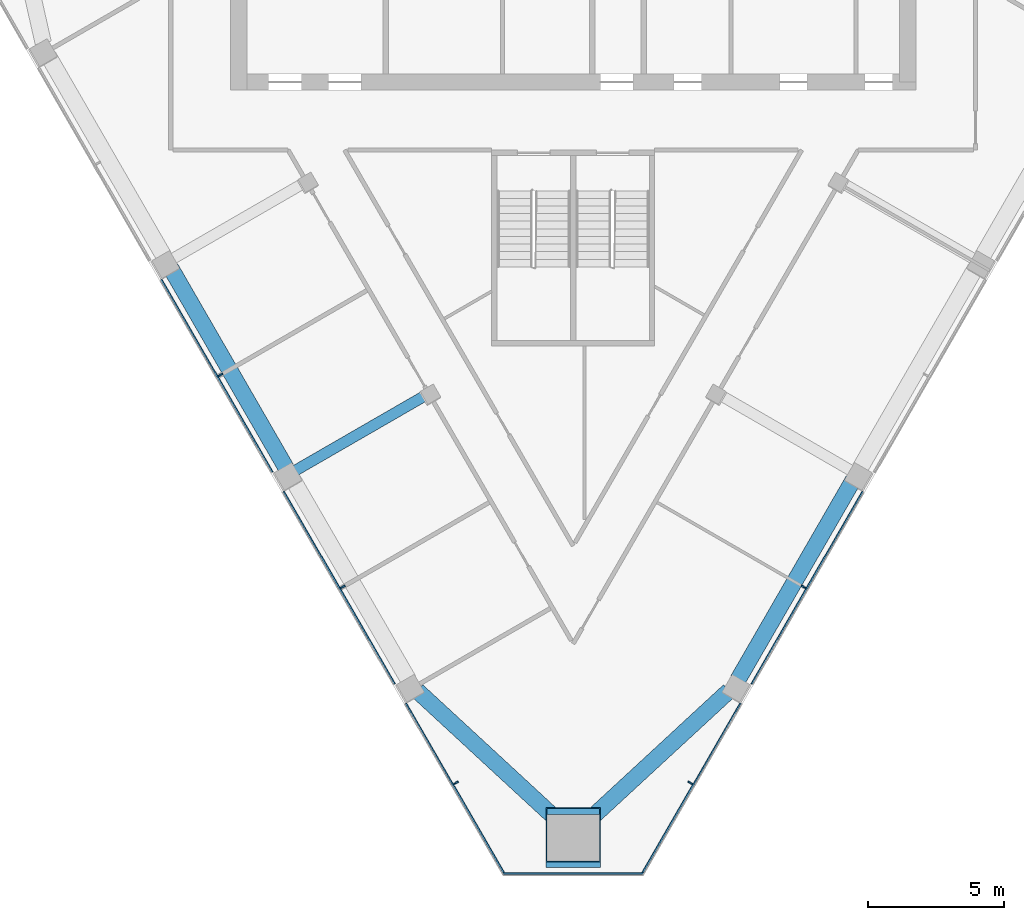
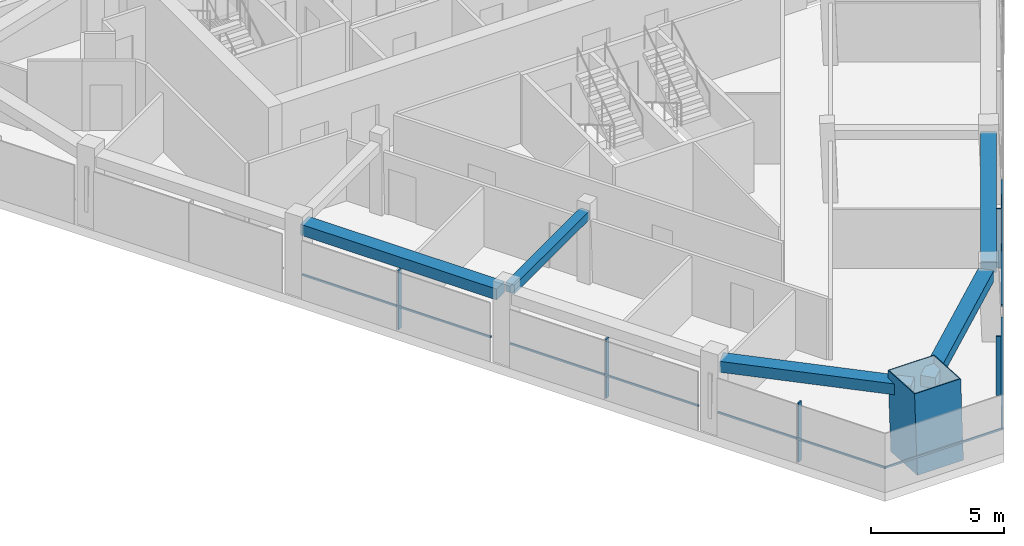
# One storey, part 2 of 12: 12 members, 5 beams, 3 elements without a shape of their own.
"""IFC4 building model written with IfcOpenShell, lengths in metres."""

from ifc_helpers import new_model, si_unit, direction, frame, origin, origin_2d, place, context, subcontext, project, spatial, rectangle, hollow_rectangle, extrude, material, layer, layer_set, material_profile, profile_set, type_object, element, aggregate, save


model = new_model("IFC4")

# Units and contexts
model_context = context("Model", 3, precision=1e-05, world=origin(), true_north=direction((0.0, 1.0)))
body_context = subcontext(model_context, "Body", "Model", "MODEL_VIEW")
ifc_project = project(units=[si_unit("LENGTHUNIT", "METRE"), si_unit("AREAUNIT", "SQUARE_METRE"), si_unit("VOLUMEUNIT", "CUBIC_METRE"), si_unit("PLANEANGLEUNIT", "RADIAN"), si_unit("MASSUNIT", "GRAM", prefix="KILO")], contexts=[model_context])

# Site, building, storey
site_placement = place(None, origin())
site = spatial("IfcSite", under=ifc_project, at=site_placement, CompositionType="ELEMENT")
building_placement = place(site_placement, origin())
building = spatial("IfcBuilding", under=site, at=building_placement, Name="Altiplano Prism Tower", CompositionType="ELEMENT")
storey_placement = place(building_placement, frame((0.0, 0.0, 253.60009765625)))
storey = spatial("IfcBuildingStorey", under=building, at=storey_placement, Name="L65", CompositionType="ELEMENT", Elevation=253.60009765625)

# Curtain wall, members
ifc_material_1 = material(Name="Aluminium and glass", Category="aluminium")
ifc_layer = layer(ifc_material_1, 0.303955078125)
ifc_layer_set = layer_set([ifc_layer], Name="Aluminium and glass")
curtain_wall_type = type_object("IfcCurtainWallType", Name="CW2 lounge-band unitised glazing", PredefinedType="NOTDEFINED", material=ifc_layer_set)
curtain_wall_1_placement = place(storey_placement, origin())
curtain_wall_1 = element("IfcCurtainWall", 1, at=curtain_wall_1_placement, inside=storey, type_object=curtain_wall_type, Name="CW2 curtain wall south-west face L65", PredefinedType="NOTDEFINED")
ifc_material_2 = material(Name="Aluminium", Category="aluminium")
ifc_material_profile_1 = material_profile(ifc_material_2, rectangle(XDim=0.199951171875, YDim=0.06005859375, at=origin_2d()), Name="CW2 mullion 60 x 200")
ifc_profile_set_1 = profile_set([ifc_material_profile_1], Name="Aluminium")
member_type_1 = type_object("IfcMemberType", Name="CW2 mullion 60 x 200", PredefinedType="MULLION", material=ifc_profile_set_1)
member_1_placement = place(storey_placement, frame((72.025146484375, 82.32275390625, 0.0), z_axis=(0.0, 0.0, 1.0), x_axis=(0.866025402484, 0.500000002252, 0.0)))
member_1 = element("IfcMember", 2, at=member_1_placement, type_object=member_type_1, Name="CW2 mullion", PredefinedType="MULLION", context=body_context, shape_type="SweptSolid", body=[
    extrude(rectangle(XDim=0.199951171875, YDim=0.06005859375, at=origin_2d()), origin(), (0.0, 0.0, 1.0), 2.699951171875),
])
member_2_placement = place(storey_placement, frame((76.525146484375, 74.528564453125, 0.0), z_axis=(0.0, 0.0, 1.0), x_axis=(0.866025402484, 0.500000002252, 0.0)))
member_2 = element("IfcMember", 3, at=member_2_placement, type_object=member_type_1, Name="CW2 mullion", PredefinedType="MULLION", context=body_context, shape_type="SweptSolid", body=[
    extrude(rectangle(XDim=0.199951171875, YDim=0.06005859375, at=origin_2d()), origin(), (0.0, 0.0, 1.0), 2.699951171875),
])
member_3_placement = place(storey_placement, frame((80.68701171875, 67.319580078125, 0.0), z_axis=(0.0, 0.0, 1.0), x_axis=(0.866025402484, 0.500000002252, 0.0)))
member_3 = element("IfcMember", 4, at=member_3_placement, type_object=member_type_1, Name="CW2 mullion", PredefinedType="MULLION", context=body_context, shape_type="SweptSolid", body=[
    extrude(rectangle(XDim=0.199951171875, YDim=0.06005859375, at=origin_2d()), origin(), (0.0, 0.0, 1.0), 2.699951171875),
])

curtain_wall_2_placement = place(storey_placement, origin())
curtain_wall_2 = element("IfcCurtainWall", 5, at=curtain_wall_2_placement, inside=storey, type_object=curtain_wall_type, Name="CW2 curtain wall south-east face L65", PredefinedType="NOTDEFINED")
member_4_placement = place(storey_placement, frame((89.31298828125, 67.319580078125, 0.0), z_axis=(0.0, 0.0, 1.0), x_axis=(-0.866025402484, 0.500000002252, 0.0)))
member_4 = element("IfcMember", 6, at=member_4_placement, type_object=member_type_1, Name="CW2 mullion", PredefinedType="MULLION", context=body_context, shape_type="SweptSolid", body=[
    extrude(rectangle(XDim=0.199951171875, YDim=0.06005859375, at=origin_2d()), origin(), (0.0, 0.0, 1.0), 2.699951171875),
])
member_5_placement = place(storey_placement, frame((93.474853515625, 74.528564453125, 0.0), z_axis=(0.0, 0.0, 1.0), x_axis=(-0.866025402484, 0.500000002252, 0.0)))
member_5 = element("IfcMember", 7, at=member_5_placement, type_object=member_type_1, Name="CW2 mullion", PredefinedType="MULLION", context=body_context, shape_type="SweptSolid", body=[
    extrude(rectangle(XDim=0.199951171875, YDim=0.06005859375, at=origin_2d()), origin(), (0.0, 0.0, 1.0), 2.699951171875),
])

# Member
ifc_material_profile_2 = material_profile(ifc_material_2, rectangle(XDim=0.06005859375, YDim=0.080078125, at=origin_2d()), Name="CW2 transom 80 x 60")
ifc_profile_set_2 = profile_set([ifc_material_profile_2], Name="Aluminium")
member_type_2 = type_object("IfcMemberType", Name="CW2 transom 80 x 60", PredefinedType="USERDEFINED", material=ifc_profile_set_2)
member_6_placement = place(storey_placement, frame((69.850341796875, 85.82958984375, 1.099853515625), z_axis=(0.49997337057, -0.866040777747, 0.0), x_axis=(0.866040777747, 0.49997337057, 0.0)))
member_6 = element("IfcMember", 8, at=member_6_placement, type_object=member_type_2, Name="CW2 transom", ObjectType="TRANSOM", PredefinedType="USERDEFINED", context=body_context, shape_type="SweptSolid", body=[
    extrude(rectangle(XDim=0.06005859375, YDim=0.080078125, at=origin_2d()), origin(), (0.0, 0.0, 1.0), 8.169921875),
])

member_7_placement = place(storey_placement, frame((74.350341796875, 78.035400390625, 1.099853515625), z_axis=(0.49997337057, -0.866040777747, 0.0), x_axis=(0.866040777747, 0.49997337057, 0.0)))
member_7 = element("IfcMember", 9, at=member_7_placement, type_object=member_type_2, Name="CW2 transom", ObjectType="TRANSOM", PredefinedType="USERDEFINED", context=body_context, shape_type="SweptSolid", body=[
    extrude(rectangle(XDim=0.06005859375, YDim=0.080078125, at=origin_2d()), origin(), (0.0, 0.0, 1.0), 8.169921875),
])

member_8_placement = place(storey_placement, frame((78.850341796875, 70.2412109375, 1.099853515625), z_axis=(0.499987858329, -0.866032413668, 0.0), x_axis=(0.866032413668, 0.499987858329, 0.0)))
member_8 = element("IfcMember", 10, at=member_8_placement, type_object=member_type_2, Name="CW2 transom", ObjectType="TRANSOM", PredefinedType="USERDEFINED", context=body_context, shape_type="SweptSolid", body=[
    extrude(rectangle(XDim=0.06005859375, YDim=0.080078125, at=origin_2d()), origin(), (0.0, 0.0, 1.0), 7.272705078125),
])

aggregate(curtain_wall_1, [member_1, member_6, member_2, member_7, member_3, member_8])

# Curtain wall, member
curtain_wall_3_placement = place(storey_placement, origin())
curtain_wall_3 = element("IfcCurtainWall", 11, at=curtain_wall_3_placement, inside=storey, type_object=curtain_wall_type, Name="CW2 curtain wall south chamfer L65", PredefinedType="NOTDEFINED")
member_9_placement = place(storey_placement, frame((82.42236328125, 63.97998046875, 1.099853515625), z_axis=(1.0, 0.0, 0.0), x_axis=(0.0, 1.0, 0.0)))
member_9 = element("IfcMember", 12, at=member_9_placement, type_object=member_type_2, Name="CW2 transom", ObjectType="TRANSOM", PredefinedType="USERDEFINED", context=body_context, shape_type="SweptSolid", body=[
    extrude(rectangle(XDim=0.06005859375, YDim=0.080078125, at=origin_2d()), origin(), (0.0, 0.0, 1.0), 5.1552734375),
])
aggregate(curtain_wall_3, [member_9])

# Member
member_10_placement = place(storey_placement, frame((87.513427734375, 63.94287109375, 1.099853515625), z_axis=(0.499987858329, 0.866032413668, 0.0), x_axis=(-0.866032413668, 0.499987858329, 0.0)))
member_10 = element("IfcMember", 13, at=member_10_placement, type_object=member_type_2, Name="CW2 transom", ObjectType="TRANSOM", PredefinedType="USERDEFINED", context=body_context, shape_type="SweptSolid", body=[
    extrude(rectangle(XDim=0.06005859375, YDim=0.080078125, at=origin_2d()), origin(), (0.0, 0.0, 1.0), 7.272705078125),
])

member_11_placement = place(storey_placement, frame((91.56494140625, 70.9599609375, 1.099853515625), z_axis=(0.49997337057, 0.866040777747, 0.0), x_axis=(-0.866040777747, 0.49997337057, 0.0)))
member_11 = element("IfcMember", 14, at=member_11_placement, type_object=member_type_2, Name="CW2 transom", ObjectType="TRANSOM", PredefinedType="USERDEFINED", context=body_context, shape_type="SweptSolid", body=[
    extrude(rectangle(XDim=0.06005859375, YDim=0.080078125, at=origin_2d()), origin(), (0.0, 0.0, 1.0), 8.169921875),
])

aggregate(curtain_wall_2, [member_4, member_10, member_5, member_11])

# Beams
ifc_material_3 = material(Name="Concrete C60/75", Category="concrete")
ifc_material_profile_3 = material_profile(ifc_material_3, rectangle(XDim=0.60009765625, YDim=0.5, at=origin_2d()), Name="Edge beam 600x500")
ifc_profile_set_3 = profile_set([ifc_material_profile_3], Name="Concrete C60/75")
beam_type_1 = type_object("IfcBeamType", Name="Edge beam 600x500", PredefinedType="SPANDREL", material=ifc_profile_set_3)
beam_1_placement = place(storey_placement, frame((70.195556640625, 86.260498046875, 2.949951171875), z_axis=(0.500011199594, -0.866018937599, 0.0), x_axis=(0.866018937599, 0.500011199594, 0.0)))
element("IfcBeam", 15, at=beam_1_placement, inside=storey, type_object=beam_type_1, Name="Edge beam P12-P13 L66", PredefinedType="SPANDREL", context=body_context, shape_type="SweptSolid", body=[
    extrude(rectangle(XDim=0.60009765625, YDim=0.5, at=origin_2d()), origin(), (0.0, 0.0, 1.0), 8.489990234375),
])
for number, where, z_axis, x_axis, name in (
    (16, (79.2685546875, 70.7080078125, 2.949951171875), (0.734742320875, -0.678346314146, 0.0), (0.678346314146, 0.734742320875, 0.0), "Edge beam P14-M1 L66"),
    (17, (85.33056640625, 65.7216796875, 2.949951171875), (0.734742320875, 0.678346314146, 0.0), (-0.678346314146, 0.734742320875, 0.0), "Edge beam M1-P21 L66"),
):
    element("IfcBeam", number, at=place(storey_placement, frame(where, z_axis=z_axis, x_axis=x_axis)), inside=storey, type_object=beam_type_1, Name=name, PredefinedType="SPANDREL", context=body_context, shape_type="SweptSolid", body=[
        extrude(rectangle(XDim=0.60009765625, YDim=0.5, at=origin_2d()), origin(), (0.0, 0.0, 1.0), 7.350830078125),
    ])
beam_2_placement = place(storey_placement, frame((91.059326171875, 71.11376953125, 2.949951171875), z_axis=(0.500011199594, 0.866018937599, 0.0), x_axis=(-0.866018937599, 0.500011199594, 0.0)))
element("IfcBeam", 18, at=beam_2_placement, inside=storey, type_object=beam_type_1, Name="Edge beam P21-P22 L66", PredefinedType="SPANDREL", context=body_context, shape_type="SweptSolid", body=[
    extrude(rectangle(XDim=0.60009765625, YDim=0.5, at=origin_2d()), origin(), (0.0, 0.0, 1.0), 8.489990234375),
])

# Member
ifc_material_4 = material(Name="Steel S460", Category="steel")
ifc_material_profile_4 = material_profile(ifc_material_4, hollow_rectangle(XDim=2.0, YDim=2.0, WallThickness=0.0400390625, at=origin_2d()), Name="Mega column tube 2000")
ifc_profile_set_4 = profile_set([ifc_material_profile_4], Name="Steel S460")
member_type_3 = type_object("IfcMemberType", Name="Mega column tube 2000", PredefinedType="POST", material=ifc_profile_set_4)
member_12_placement = place(storey_placement, frame((85.0, 65.205810546875, 0.0), z_axis=(0.0, 0.058360852261, 0.998295552892), x_axis=(-1.0, 0.0, 0.0)))
element("IfcMember", 19, at=member_12_placement, inside=storey, type_object=member_type_3, Name="Mega column tube M1 L65", PredefinedType="POST", context=body_context, shape_type="SweptSolid", body=[
    extrude(hollow_rectangle(XDim=2.0, YDim=2.0, WallThickness=0.0400390625, at=origin_2d()), origin(), (0.0, 0.0, 1.0), 3.60595703125),
])

# Beam
ifc_material_profile_5 = material_profile(ifc_material_3, rectangle(XDim=0.39990234375, YDim=0.39990234375, at=origin_2d()), Name="Tie beam 400x400")
ifc_profile_set_5 = profile_set([ifc_material_profile_5], Name="Concrete C60/75")
beam_type_2 = type_object("IfcBeamType", Name="Tie beam 400x400", PredefinedType="BEAM", material=ifc_profile_set_5)
beam_3_placement = place(storey_placement, frame((79.67333984375, 81.634521484375, 3.0), z_axis=(-0.866045024864, -0.499966013754, 0.0), x_axis=(0.499966013754, -0.866045024864, 0.0)))
element("IfcBeam", 20, at=beam_3_placement, inside=storey, type_object=beam_type_2, Name="Tie beam I13 L66", PredefinedType="BEAM", context=body_context, shape_type="SweptSolid", body=[
    extrude(rectangle(XDim=0.39990234375, YDim=0.39990234375, at=origin_2d()), origin(), (0.0, 0.0, 1.0), 5.64013671875),
])

save(model, "model.ifc")
